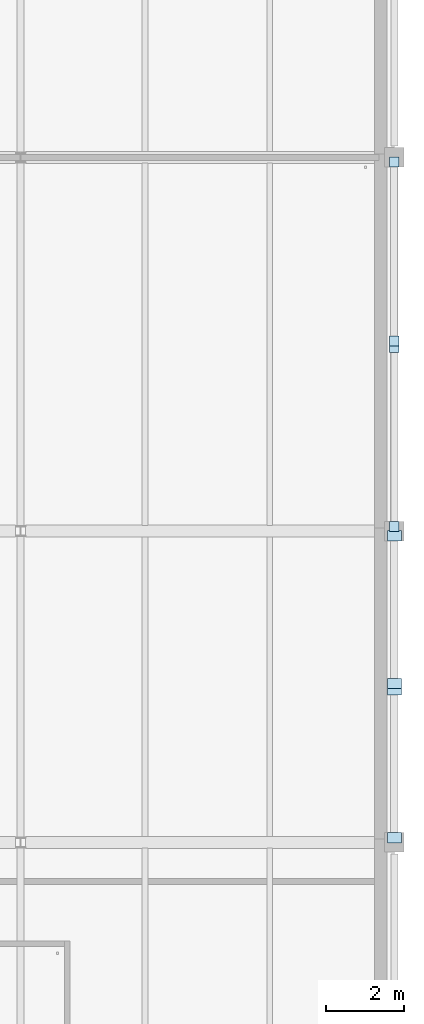
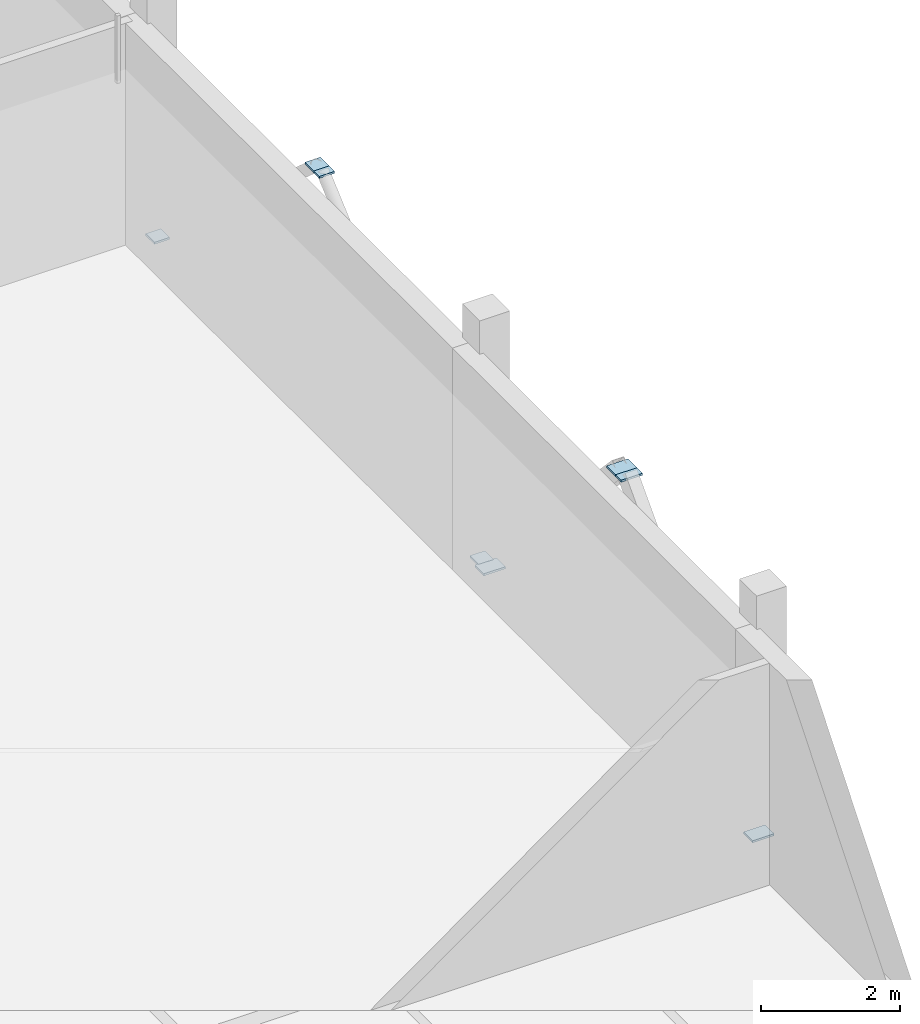
# One storey, part 59 of 107: 8 plates.
"""IFC4 building model written with IfcOpenShell, lengths in metres."""

from ifc_helpers import new_model, si_unit, direction, frame, origin, origin_2d, place, context, subcontext, project, spatial, rectangle, extrude, material, layer, layer_set, type_object, element, save


model = new_model("IFC4")

# Units and contexts
model_context = context("Model", 3, precision=1e-05, world=origin(), true_north=direction((0.0, 1.0)))
body_context = subcontext(model_context, "Body", "Model", "MODEL_VIEW")
ifc_project = project(units=[si_unit("LENGTHUNIT", "METRE"), si_unit("AREAUNIT", "SQUARE_METRE"), si_unit("VOLUMEUNIT", "CUBIC_METRE"), si_unit("PLANEANGLEUNIT", "RADIAN"), si_unit("MASSUNIT", "GRAM", prefix="KILO")], contexts=[model_context])

# Site, building, storey
site_placement = place(None, origin())
site = spatial("IfcSite", under=ifc_project, at=site_placement, CompositionType="ELEMENT")
building_placement = place(site_placement, origin())
building = spatial("IfcBuilding", under=site, at=building_placement, Name="Dunescarp Central Library", CompositionType="ELEMENT")
storey_placement = place(building_placement, frame((0.0, 0.0, 5.10009765625)))
storey = spatial("IfcBuildingStorey", under=building, at=storey_placement, Name="L01", CompositionType="ELEMENT", Elevation=5.10009765625)

# Plates
ifc_material = material(Name="Steel S355J0", Category="steel")
ifc_layer_1 = layer(ifc_material, 0.02001953125)
ifc_layer_set_1 = layer_set([ifc_layer_1], Name="Steel S355J0")
plate_type_1 = type_object("IfcPlateType", Name="STR-PLT-GUS1", PredefinedType="USERDEFINED", material=ifc_layer_set_1)
for number, where, z_axis, x_axis, name in (
    (1, (168.0, 12.919921875, -0.01806640625), (0.0, 0.0, 1.0), (1.0, 0.0, 0.0), "Brace foot gusset plate GP-121"),
    (2, (168.0, 20.679931640625, -0.01806640625), (0.0, 0.0, 1.0), (1.0, 0.0, 0.0), "Brace foot gusset plate GP-123"),
):
    element("IfcPlate", number, at=place(storey_placement, frame(where, z_axis=z_axis, x_axis=x_axis)), inside=storey, type_object=plate_type_1, Name=name, ObjectType="GUSSET_PLATE", PredefinedType="USERDEFINED", context=body_context, shape_type="SweptSolid", body=[
        extrude(rectangle(XDim=0.360107421875, YDim=0.260009765625, at=origin_2d()), origin(), (0.0, 0.0, 1.0), 0.035888671875),
    ])
for number, where, z_axis, x_axis, name in (
    (3, (168.0, 20.919921875, -0.01806640625), (0.0, 0.0, 1.0), (1.0, 0.0, 0.0), "Brace foot gusset plate GP-129"),
    (4, (168.0, 30.280029296875, -0.01806640625), (0.0, 0.0, 1.0), (1.0, 0.0, 0.0), "Brace foot gusset plate GP-131"),
):
    element("IfcPlate", number, at=place(storey_placement, frame(where, z_axis=z_axis, x_axis=x_axis)), inside=storey, type_object=plate_type_1, Name=name, ObjectType="GUSSET_PLATE", PredefinedType="USERDEFINED", context=body_context, shape_type="SweptSolid", body=[
        extrude(rectangle(XDim=0.25390625, YDim=0.25390625, at=origin_2d()), origin(), (0.0, 0.0, 1.0), 0.035888671875),
    ])
ifc_layer_2 = layer(ifc_material, 0.01611328125)
ifc_layer_set_2 = layer_set([ifc_layer_2], Name="Steel S355J0")
plate_type_2 = type_object("IfcPlateType", Name="STR-PLT-GUS2", PredefinedType="USERDEFINED", material=ifc_layer_set_2)
for number, where, z_axis, x_axis, name in (
    (5, (168.0, 16.719970703125, 4.03173828125), (0.0, 0.0, 1.0), (1.0, 0.0, 0.0), "Brace apex gusset plate GP-122"),
    (6, (168.0, 16.8798828125, 4.03173828125), (0.0, 0.0, 1.0), (1.0, 0.0, 0.0), "Brace apex gusset plate GP-124"),
):
    element("IfcPlate", number, at=place(storey_placement, frame(where, z_axis=z_axis, x_axis=x_axis)), inside=storey, type_object=plate_type_2, Name=name, ObjectType="GUSSET_PLATE", PredefinedType="USERDEFINED", context=body_context, shape_type="SweptSolid", body=[
        extrude(rectangle(XDim=0.360107421875, YDim=0.260009765625, at=origin_2d()), origin(), (0.0, 0.0, 1.0), 0.035888671875),
    ])
for number, where, z_axis, x_axis, name in (
    (7, (168.0, 25.52001953125, 4.03173828125), (0.0, 0.0, 1.0), (1.0, 0.0, 0.0), "Brace apex gusset plate GP-130"),
    (8, (168.0, 25.679931640625, 4.03173828125), (0.0, 0.0, 1.0), (1.0, 0.0, 0.0), "Brace apex gusset plate GP-132"),
):
    element("IfcPlate", number, at=place(storey_placement, frame(where, z_axis=z_axis, x_axis=x_axis)), inside=storey, type_object=plate_type_2, Name=name, ObjectType="GUSSET_PLATE", PredefinedType="USERDEFINED", context=body_context, shape_type="SweptSolid", body=[
        extrude(rectangle(XDim=0.25390625, YDim=0.25390625, at=origin_2d()), origin(), (0.0, 0.0, 1.0), 0.035888671875),
    ])

save(model, "model.ifc")
